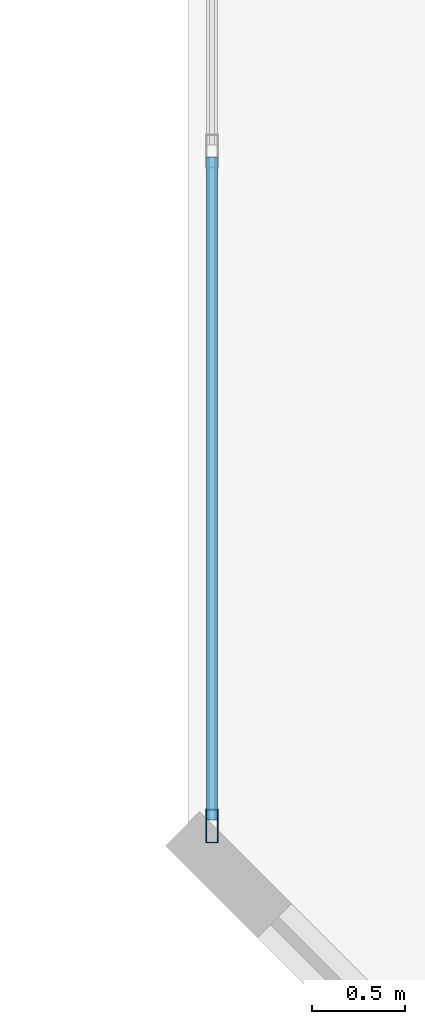
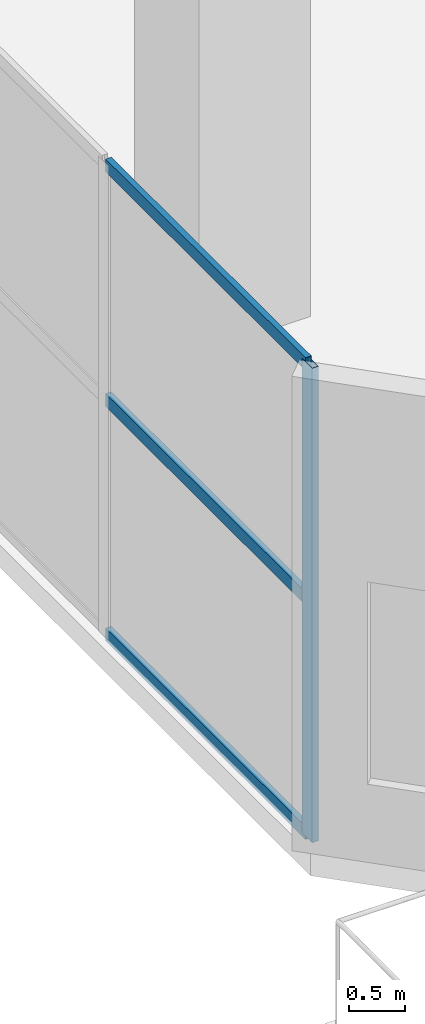
# One storey, part 4 of 37: 4 members, 1 element without a shape of its own.
"""IFC4 building model written with IfcOpenShell, lengths in metres."""

from ifc_helpers import new_model, si_unit, direction, frame, origin, origin_2d, place, context, subcontext, project, spatial, hollow_rectangle, extrude, material, layer, layer_set, material_profile, profile_set, type_object, element, aggregate, save


model = new_model("IFC4")

# Units and contexts
model_context = context("Model", 3, precision=1e-05, world=origin(), true_north=direction((0.0, 1.0)))
body_context = subcontext(model_context, "Body", "Model", "MODEL_VIEW")
ifc_project = project(units=[si_unit("LENGTHUNIT", "METRE"), si_unit("AREAUNIT", "SQUARE_METRE"), si_unit("VOLUMEUNIT", "CUBIC_METRE"), si_unit("PLANEANGLEUNIT", "RADIAN"), si_unit("MASSUNIT", "GRAM", prefix="KILO")], contexts=[model_context])

# Site, building, storey
site_placement = place(None, origin())
site = spatial("IfcSite", under=ifc_project, at=site_placement, CompositionType="ELEMENT")
building_placement = place(site_placement, origin())
building = spatial("IfcBuilding", under=site, at=building_placement, Name="Haolan Belvedere Tower", CompositionType="ELEMENT")
storey_placement = place(building_placement, frame((0.0, 0.0, 10.199951171875)))
storey = spatial("IfcBuildingStorey", under=building, at=storey_placement, Name="L02", CompositionType="ELEMENT", Elevation=10.199951171875)

# Curtain wall, members
ifc_material_1 = material(Name="Anodised champagne-silver aluminium 6063-T6 and Low-E glass", Category="aluminium")
ifc_layer = layer(ifc_material_1, 0.179931640625, Name="Anodised champagne-silver aluminium 6063-T6 and Low-E glass")
ifc_layer_set = layer_set([ifc_layer], Name="Anodised champagne-silver aluminium 6063-T6 and Low-E glass")
curtain_wall_type = type_object("IfcCurtainWallType", Name="CW-SYS-01", PredefinedType="NOTDEFINED", material=ifc_layer_set)
curtain_wall_placement = place(storey_placement, origin())
curtain_wall = element("IfcCurtainWall", 1, at=curtain_wall_placement, inside=storey, type_object=curtain_wall_type, Name="L02 CW-SYS-01 ribbon curtain wall 4.1", PredefinedType="NOTDEFINED")
ifc_material_2 = material(Name="Anodised aluminium 6063-T6", Category="aluminium")
ifc_material_profile_1 = material_profile(ifc_material_2, hollow_rectangle(XDim=0.06494140625, YDim=0.179931640625, WallThickness=0.00390625, at=origin_2d()), Name="Anodised aluminium 6063-T6")
ifc_profile_set_1 = profile_set([ifc_material_profile_1], Name="Anodised aluminium 6063-T6")
member_type_1 = type_object("IfcMemberType", Name="CW-SYS-01-MUL", PredefinedType="MULLION", material=ifc_profile_set_1)
member_1_placement = place(storey_placement, frame((2.530029296875, 9.826416015625, 0.0), z_axis=(0.0, 0.0, 1.0), x_axis=(1.0, 0.0, 0.0)))
member_1 = element("IfcMember", 2, at=member_1_placement, type_object=member_type_1, Name="CW-01 mullion 13", PredefinedType="MULLION", context=body_context, shape_type="SweptSolid", body=[
    extrude(hollow_rectangle(XDim=0.06494140625, YDim=0.179931640625, WallThickness=0.00390625, at=origin_2d()), origin(), (0.0, 0.0, 1.0), 5.16015625),
])
ifc_material_profile_2 = material_profile(ifc_material_2, hollow_rectangle(XDim=0.06005859375, YDim=0.139892578125, WallThickness=0.00390625, at=origin_2d()), Name="Anodised aluminium 6063-T6")
ifc_profile_set_2 = profile_set([ifc_material_profile_2], Name="Anodised aluminium 6063-T6")
member_type_2 = type_object("IfcMemberType", Name="CW-SYS-01-TRN", PredefinedType="USERDEFINED", material=ifc_profile_set_2)
member_2_placement = place(storey_placement, frame((2.530029296875, 13.422607421875, 0.030029296875), z_axis=(0.0, -1.0, 0.0), x_axis=(1.0, 0.0, 0.0)))
member_2 = element("IfcMember", 3, at=member_2_placement, type_object=member_type_2, Name="CW-01 transom 12.1", ObjectType="TRANSOM", PredefinedType="USERDEFINED", context=body_context, shape_type="SweptSolid", body=[
    extrude(hollow_rectangle(XDim=0.06005859375, YDim=0.139892578125, WallThickness=0.00390625, at=origin_2d()), origin(), (0.0, 0.0, 1.0), 3.563720703125),
])
member_3_placement = place(storey_placement, frame((2.530029296875, 13.422607421875, 2.580078125), z_axis=(0.0, -1.0, 0.0), x_axis=(1.0, 0.0, 0.0)))
member_3 = element("IfcMember", 4, at=member_3_placement, type_object=member_type_2, Name="CW-01 transom 12.2", ObjectType="TRANSOM", PredefinedType="USERDEFINED", context=body_context, shape_type="SweptSolid", body=[
    extrude(hollow_rectangle(XDim=0.06005859375, YDim=0.139892578125, WallThickness=0.00390625, at=origin_2d()), origin(), (0.0, 0.0, 1.0), 3.563720703125),
])
member_4_placement = place(storey_placement, frame((2.530029296875, 13.422607421875, 5.130126953125), z_axis=(0.0, -1.0, 0.0), x_axis=(1.0, 0.0, 0.0)))
member_4 = element("IfcMember", 5, at=member_4_placement, type_object=member_type_2, Name="CW-01 transom 12.3", ObjectType="TRANSOM", PredefinedType="USERDEFINED", context=body_context, shape_type="SweptSolid", body=[
    extrude(hollow_rectangle(XDim=0.06005859375, YDim=0.139892578125, WallThickness=0.00390625, at=origin_2d()), origin(), (0.0, 0.0, 1.0), 3.563720703125),
])
aggregate(curtain_wall, [member_1, member_2, member_3, member_4])

save(model, "model.ifc")
